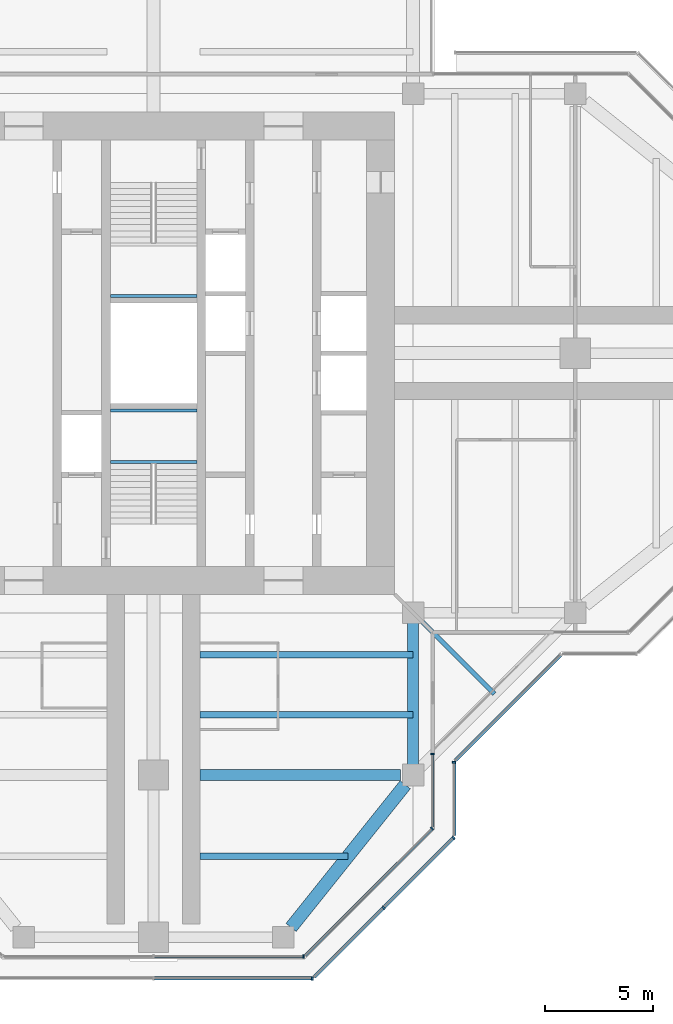
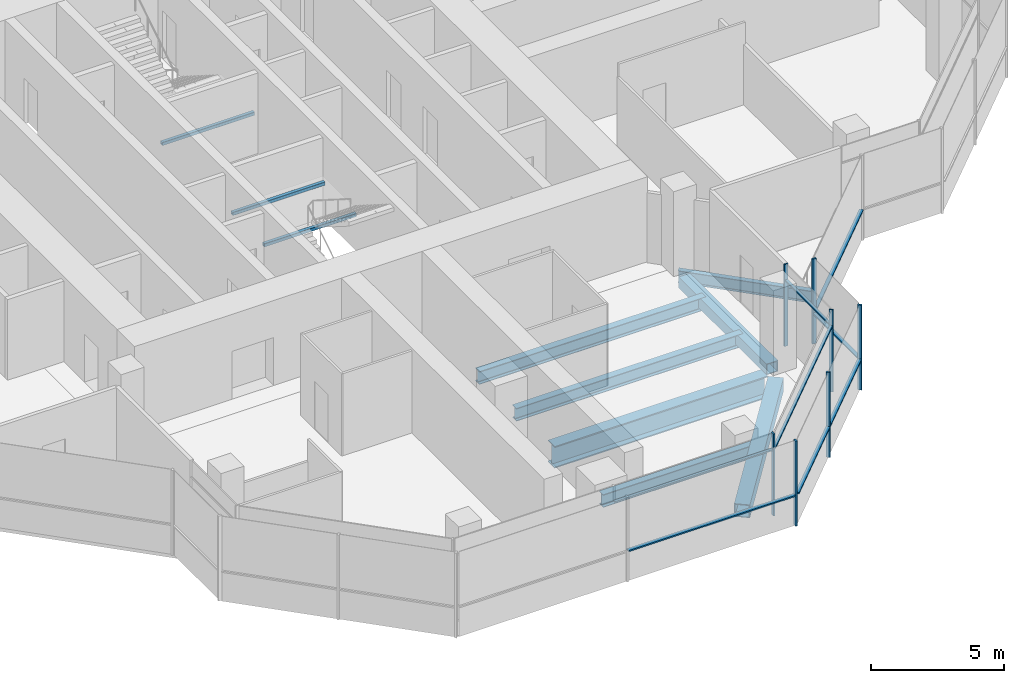
# One storey, part 4 of 15: 15 members, 10 beams, 7 elements without a shape of their own.
"""IFC4 building model written with IfcOpenShell, lengths in metres."""

from ifc_helpers import new_model, si_unit, direction, frame, origin, origin_2d, place, context, subcontext, project, spatial, rectangle, hollow_rectangle, i_section, extrude, material, material_profile, profile_set, type_object, element, aggregate, save


model = new_model("IFC4")

# Units and contexts
model_context = context("Model", 3, precision=1e-05, world=origin(), true_north=direction((0.0, 1.0)))
body_context = subcontext(model_context, "Body", "Model", "MODEL_VIEW")
ifc_project = project(units=[si_unit("LENGTHUNIT", "METRE"), si_unit("AREAUNIT", "SQUARE_METRE"), si_unit("VOLUMEUNIT", "CUBIC_METRE"), si_unit("PLANEANGLEUNIT", "RADIAN"), si_unit("MASSUNIT", "GRAM", prefix="KILO")], contexts=[model_context])

# Site, building, storey
site_placement = place(None, origin())
site = spatial("IfcSite", under=ifc_project, at=site_placement, CompositionType="ELEMENT")
building_placement = place(site_placement, origin())
building = spatial("IfcBuilding", under=site, at=building_placement, Name="Mizan Broadcast Tower", CompositionType="ELEMENT")
storey_placement = place(building_placement, frame((0.0, 0.0, 267.300048828125)))
storey = spatial("IfcBuildingStorey", under=building, at=storey_placement, Name="L63", CompositionType="ELEMENT", Elevation=267.300048828125)

# Beams
ifc_material_1 = material(Name="Steel S355", Category="steel")
ifc_material_profile_1 = material_profile(ifc_material_1, hollow_rectangle(XDim=0.5, YDim=0.5, WallThickness=0.030029296875, at=origin_2d()), Name="BOX 500x500x30")
ifc_profile_set_1 = profile_set([ifc_material_profile_1], Name="Steel S355")
beam_type_1 = type_object("IfcBeamType", Name="EDGE BEAM BOX 500x500x30", PredefinedType="SPANDREL", material=ifc_profile_set_1)
beam_1_placement = place(storey_placement, frame((12.0, -12.449951171875, -0.380126953125), z_axis=(0.0, -1.0, 0.0), x_axis=(1.0, 0.0, 0.0)))
element("IfcBeam", 1, at=beam_1_placement, inside=storey, type_object=beam_type_1, Name="Edge beam BOX 500x500x30 L63 south arm", PredefinedType="SPANDREL", context=body_context, shape_type="SweptSolid", body=[
    extrude(hollow_rectangle(XDim=0.5, YDim=0.5, WallThickness=0.030029296875, at=origin_2d()), origin(), (0.0, 0.0, 1.0), 6.60009765625),
])
ifc_material_2 = material(Name="Steel S355", Category="steel")
ifc_material_profile_2 = material_profile(ifc_material_2, hollow_rectangle(XDim=0.60009765625, YDim=0.60009765625, WallThickness=0.030029296875, at=origin_2d()), Name="BOX 600x600x30")
ifc_profile_set_2 = profile_set([ifc_material_profile_2], Name="Steel S355")
beam_type_2 = type_object("IfcBeamType", Name="EDGE BEAM BOX 600x600x30", PredefinedType="SPANDREL", material=ifc_profile_set_2)
beam_2_placement = place(storey_placement, frame((11.639892578125, -19.949951171875, -0.429931640625), z_axis=(-0.624673911726, -0.780885717636, 0.0), x_axis=(0.780885717636, -0.624673911726, 0.0)))
element("IfcBeam", 2, at=beam_2_placement, inside=storey, type_object=beam_type_2, Name="Edge beam BOX 600x600x30 L63 south arm", PredefinedType="SPANDREL", context=body_context, shape_type="SweptSolid", body=[
    extrude(hollow_rectangle(XDim=0.60009765625, YDim=0.60009765625, WallThickness=0.030029296875, at=origin_2d()), origin(), (0.0, 0.0, 1.0), 8.4521484375),
])
ifc_material_3 = material(Name="Steel S460", Category="steel")
ifc_material_profile_3 = material_profile(ifc_material_3, i_section(OverallWidth=0.5, OverallDepth=1.0, WebThickness=0.02490234375, FlangeThickness=0.050048828125, at=origin_2d()), Name="WPG 1000x500")
ifc_profile_set_3 = profile_set([ifc_material_profile_3], Name="Steel S460")
beam_type_3 = type_object("IfcBeamType", Name="GIRDER WPG 1000x500", PredefinedType="BEAM", material=ifc_profile_set_3)
beam_3_placement = place(storey_placement, frame((11.408935546875, -19.5, -0.630126953125), z_axis=(-1.0, 0.0, 0.0), x_axis=(0.0, -1.0, 0.0)))
element("IfcBeam", 3, at=beam_3_placement, inside=storey, type_object=beam_type_3, Name="Girder WPG 1000x500 L63 south arm", PredefinedType="BEAM", context=body_context, shape_type="SweptSolid", body=[
    extrude(i_section(OverallWidth=0.5, OverallDepth=1.0, WebThickness=0.02490234375, FlangeThickness=0.050048828125, at=origin_2d()), origin(), (0.0, 0.0, 1.0), 9.259033203125),
])

# Curtain wall, member
ifc_material_4 = material(Name="Aluminium framed glazing", Category="aluminium")
curtain_wall_type_1 = type_object("IfcCurtainWallType", Name="INNER SKIN TOP ZONE", PredefinedType="USERDEFINED", material=ifc_material_4)
curtain_wall_1_placement = place(storey_placement, origin())
curtain_wall_1 = element("IfcCurtainWall", 4, at=curtain_wall_1_placement, inside=storey, type_object=curtain_wall_type_1, Name="Inner skin top zone L63 S end", ObjectType="INNER SKIN TOP ZONE", PredefinedType="USERDEFINED")
ifc_material_5 = material(Name="Aluminium, pale anodised", Category="aluminium")
ifc_material_profile_4 = material_profile(ifc_material_5, rectangle(XDim=0.159912109375, YDim=0.06005859375, at=origin_2d()), Name="MULLION 160x60")
ifc_profile_set_4 = profile_set([ifc_material_profile_4], Name="Aluminium, pale anodised")
member_type_1 = type_object("IfcMemberType", Name="INNER SKIN MULLION 60x160", PredefinedType="MULLION", material=ifc_profile_set_4)
member_1_placement = place(storey_placement, frame((6.928466796875, -27.89990234375, 0.0), z_axis=(0.0, 0.0, 1.0), x_axis=(0.0, 1.0, 0.0)))
member_1 = element("IfcMember", 5, at=member_1_placement, type_object=member_type_1, Name="Inner skin top zone L63 S end mullion 3", PredefinedType="MULLION", context=body_context, shape_type="SweptSolid", body=[
    extrude(rectangle(XDim=0.159912109375, YDim=0.06005859375, at=origin_2d()), origin(), (0.0, 0.0, 1.0), 3.77001953125),
])

curtain_wall_2_placement = place(storey_placement, origin())
curtain_wall_2 = element("IfcCurtainWall", 6, at=curtain_wall_2_placement, inside=storey, type_object=curtain_wall_type_1, Name="Inner skin top zone L63 S chamfer", ObjectType="INNER SKIN TOP ZONE", PredefinedType="USERDEFINED")
member_2_placement = place(storey_placement, frame((12.87890625, -21.979736328125, 0.0), z_axis=(0.0, 0.0, 1.0), x_axis=(-0.707106781187, 0.707106781187, 0.0)))
member_2 = element("IfcMember", 7, at=member_2_placement, type_object=member_type_1, Name="Inner skin top zone L63 S chamfer mullion 2", PredefinedType="MULLION", context=body_context, shape_type="SweptSolid", body=[
    extrude(rectangle(XDim=0.159912109375, YDim=0.06005859375, at=origin_2d()), origin(), (0.0, 0.0, 1.0), 3.77001953125),
])

curtain_wall_3_placement = place(storey_placement, origin())
curtain_wall_3 = element("IfcCurtainWall", 8, at=curtain_wall_3_placement, inside=storey, type_object=curtain_wall_type_1, Name="Inner skin top zone L63 S side", ObjectType="INNER SKIN TOP ZONE", PredefinedType="USERDEFINED")
member_3_placement = place(storey_placement, frame((12.89990234375, -18.530029296875, 0.0), z_axis=(0.0, 0.0, 1.0), x_axis=(-1.0, 0.0, 0.0)))
member_3 = element("IfcMember", 9, at=member_3_placement, type_object=member_type_1, Name="Inner skin top zone L63 S side mullion 2", PredefinedType="MULLION", context=body_context, shape_type="SweptSolid", body=[
    extrude(rectangle(XDim=0.159912109375, YDim=0.06005859375, at=origin_2d()), origin(), (0.0, 0.0, 1.0), 3.77001953125),
])

# Member
ifc_material_6 = material(Name="Aluminium, pale anodised", Category="aluminium")
ifc_material_profile_5 = material_profile(ifc_material_6, rectangle(XDim=0.1201171875, YDim=0.06005859375, at=origin_2d()), Name="TRANSOM 120x60")
ifc_profile_set_5 = profile_set([ifc_material_profile_5], Name="Aluminium, pale anodised")
member_type_2 = type_object("IfcMemberType", Name="INNER SKIN TRANSOM 60x120", PredefinedType="USERDEFINED", material=ifc_profile_set_5)
member_4_placement = place(storey_placement, frame((0.030029296875, -27.89990234375, 3.030029296875), z_axis=(1.0, 0.0, 0.0), x_axis=(0.0, 1.0, 0.0)))
member_4 = element("IfcMember", 10, at=member_4_placement, type_object=member_type_2, Name="Inner skin top zone L63 S end transom 2.1", ObjectType="TRANSOM", PredefinedType="USERDEFINED", context=body_context, shape_type="SweptSolid", body=[
    extrude(rectangle(XDim=0.1201171875, YDim=0.06005859375, at=origin_2d()), origin(), (0.0, 0.0, 1.0), 6.86865234375),
])

aggregate(curtain_wall_1, [member_1, member_4])

member_5_placement = place(storey_placement, frame((7.0009765625, -27.857666015625, 3.030029296875), z_axis=(0.707106781187, 0.707106781187, 0.0), x_axis=(-0.707106781187, 0.707106781187, 0.0)))
member_5 = element("IfcMember", 11, at=member_5_placement, type_object=member_type_2, Name="Inner skin top zone L63 S chamfer transom 1.1", ObjectType="TRANSOM", PredefinedType="USERDEFINED", context=body_context, shape_type="SweptSolid", body=[
    extrude(rectangle(XDim=0.1201171875, YDim=0.06005859375, at=origin_2d()), origin(), (0.0, 0.0, 1.0), 8.28271484375),
])

aggregate(curtain_wall_2, [member_2, member_5])

member_6_placement = place(storey_placement, frame((12.89990234375, -21.898681640625, 3.030029296875), z_axis=(0.0, 1.0, 0.0), x_axis=(-1.0, 0.0, 0.0)))
member_6 = element("IfcMember", 12, at=member_6_placement, type_object=member_type_2, Name="Inner skin top zone L63 S side transom 1.1", ObjectType="TRANSOM", PredefinedType="USERDEFINED", context=body_context, shape_type="SweptSolid", body=[
    extrude(rectangle(XDim=0.1201171875, YDim=0.06005859375, at=origin_2d()), origin(), (0.0, 0.0, 1.0), 3.338623046875),
])

aggregate(curtain_wall_3, [member_3, member_6])

# Beams
ifc_material_7 = material(Name="Steel S355", Category="steel")
ifc_material_profile_6 = material_profile(ifc_material_7, hollow_rectangle(XDim=0.14990234375, YDim=0.14990234375, WallThickness=0.008056640625, InnerFilletRadius=0.008056640625, OuterFilletRadius=0.011962890625, at=origin_2d()), Name="SHS 150x150x8")
ifc_profile_set_6 = profile_set([ifc_material_profile_6], Name="Steel S355")
beam_type_4 = type_object("IfcBeamType", Name="LANDING TRIMMER SHS 150x150x8", PredefinedType="BEAM", material=ifc_profile_set_6)
for number, where, z_axis, x_axis, name in (
    (13, (-2.0, -5.02490234375, 1.675048828125), (1.0, 0.0, 0.0), (0.0, 1.0, 0.0), "Stair A landing trimmer L63"),
    (14, (-2.0, -2.64990234375, 1.675048828125), (1.0, 0.0, 0.0), (0.0, 1.0, 0.0), "Stair A landing trimmer L63"),
    (15, (2.0, 2.64990234375, 1.675048828125), (-1.0, 0.0, 0.0), (0.0, -1.0, 0.0), "Stair B landing trimmer L63"),
):
    element("IfcBeam", number, at=place(storey_placement, frame(where, z_axis=z_axis, x_axis=x_axis)), inside=storey, type_object=beam_type_4, Name=name, PredefinedType="BEAM", context=body_context, shape_type="SweptSolid", body=[
        extrude(hollow_rectangle(XDim=0.14990234375, YDim=0.14990234375, WallThickness=0.008056640625, InnerFilletRadius=0.008056640625, OuterFilletRadius=0.011962890625, at=origin_2d()), origin(), (0.0, 0.0, 1.0), 4.0),
    ])

# Curtain wall, member
ifc_material_8 = material(Name="Aluminium framed glazing", Category="aluminium")
curtain_wall_type_2 = type_object("IfcCurtainWallType", Name="OUTER SKIN", PredefinedType="USERDEFINED", material=ifc_material_8)
curtain_wall_4_placement = place(storey_placement, origin())
curtain_wall_4 = element("IfcCurtainWall", 16, at=curtain_wall_4_placement, inside=storey, type_object=curtain_wall_type_2, Name="Outer skin L63 S end", ObjectType="OUTER SKIN", PredefinedType="USERDEFINED")
ifc_material_9 = material(Name="Aluminium, pale anodised", Category="aluminium")
ifc_material_profile_7 = material_profile(ifc_material_9, rectangle(XDim=0.159912109375, YDim=0.080078125, at=origin_2d()), Name="MULLION 160x80")
ifc_profile_set_7 = profile_set([ifc_material_profile_7], Name="Aluminium, pale anodised")
member_type_3 = type_object("IfcMemberType", Name="OUTER SKIN MULLION 80x160", PredefinedType="MULLION", material=ifc_profile_set_7)
member_7_placement = place(storey_placement, frame((7.332763671875, -28.89990234375, 0.0), z_axis=(0.0, 0.0, 1.0), x_axis=(0.0, 1.0, 0.0)))
member_7 = element("IfcMember", 17, at=member_7_placement, type_object=member_type_3, Name="Outer skin L63 S end mullion 3", PredefinedType="MULLION", context=body_context, shape_type="SweptSolid", body=[
    extrude(rectangle(XDim=0.159912109375, YDim=0.080078125, at=origin_2d()), origin(), (0.0, 0.0, 1.0), 3.89990234375),
])

# Curtain wall, members
curtain_wall_5_placement = place(storey_placement, origin())
curtain_wall_5 = element("IfcCurtainWall", 18, at=curtain_wall_5_placement, inside=storey, type_object=curtain_wall_type_2, Name="Outer skin L63 S chamfer", ObjectType="OUTER SKIN", PredefinedType="USERDEFINED")
member_8_placement = place(storey_placement, frame((10.636474609375, -25.636474609375, 0.0), z_axis=(0.0, 0.0, 1.0), x_axis=(-0.707106781187, 0.707106781187, 0.0)))
member_8 = element("IfcMember", 19, at=member_8_placement, type_object=member_type_3, Name="Outer skin L63 S chamfer mullion 2", PredefinedType="MULLION", context=body_context, shape_type="SweptSolid", body=[
    extrude(rectangle(XDim=0.159912109375, YDim=0.080078125, at=origin_2d()), origin(), (0.0, 0.0, 1.0), 3.89990234375),
])
member_9_placement = place(storey_placement, frame((13.871826171875, -22.401123046875, 0.0), z_axis=(0.0, 0.0, 1.0), x_axis=(-0.707106781187, 0.707106781187, 0.0)))
member_9 = element("IfcMember", 20, at=member_9_placement, type_object=member_type_3, Name="Outer skin L63 S chamfer mullion 3", PredefinedType="MULLION", context=body_context, shape_type="SweptSolid", body=[
    extrude(rectangle(XDim=0.159912109375, YDim=0.080078125, at=origin_2d()), origin(), (0.0, 0.0, 1.0), 3.89990234375),
])

# Curtain wall, member
curtain_wall_6_placement = place(storey_placement, origin())
curtain_wall_6 = element("IfcCurtainWall", 21, at=curtain_wall_6_placement, inside=storey, type_object=curtain_wall_type_2, Name="Outer skin L63 S side", ObjectType="OUTER SKIN", PredefinedType="USERDEFINED")
member_10_placement = place(storey_placement, frame((13.89990234375, -18.912841796875, 0.0), z_axis=(0.0, 0.0, 1.0), x_axis=(-1.0, 0.0, 0.0)))
member_10 = element("IfcMember", 22, at=member_10_placement, type_object=member_type_3, Name="Outer skin L63 S side mullion 2", PredefinedType="MULLION", context=body_context, shape_type="SweptSolid", body=[
    extrude(rectangle(XDim=0.159912109375, YDim=0.080078125, at=origin_2d()), origin(), (0.0, 0.0, 1.0), 3.89990234375),
])

# Member
ifc_material_10 = material(Name="Aluminium, pale anodised", Category="aluminium")
ifc_material_profile_8 = material_profile(ifc_material_10, rectangle(XDim=0.159912109375, YDim=0.06005859375, at=origin_2d()), Name="TRANSOM 160x60")
ifc_profile_set_8 = profile_set([ifc_material_profile_8], Name="Aluminium, pale anodised")
member_type_4 = type_object("IfcMemberType", Name="OUTER SKIN TRANSOM 60x160", PredefinedType="USERDEFINED", material=ifc_profile_set_8)
member_11_placement = place(storey_placement, frame((0.0400390625, -28.89990234375, 1.39990234375), z_axis=(1.0, 0.0, 0.0), x_axis=(0.0, 1.0, 0.0)))
member_11 = element("IfcMember", 23, at=member_11_placement, type_object=member_type_4, Name="Outer skin L63 S end transom 2.1", ObjectType="TRANSOM", PredefinedType="USERDEFINED", context=body_context, shape_type="SweptSolid", body=[
    extrude(rectangle(XDim=0.159912109375, YDim=0.06005859375, at=origin_2d()), origin(), (0.0, 0.0, 1.0), 7.252685546875),
])

aggregate(curtain_wall_4, [member_7, member_11])

member_12_placement = place(storey_placement, frame((7.429443359375, -28.843505859375, 1.39990234375), z_axis=(0.707106781187, 0.707106781187, 0.0), x_axis=(-0.707106781187, 0.707106781187, 0.0)))
member_12 = element("IfcMember", 24, at=member_12_placement, type_object=member_type_4, Name="Outer skin L63 S chamfer transom 1.1", ObjectType="TRANSOM", PredefinedType="USERDEFINED", context=body_context, shape_type="SweptSolid", body=[
    extrude(rectangle(XDim=0.159912109375, YDim=0.06005859375, at=origin_2d()), origin(), (0.0, 0.0, 1.0), 4.495361328125),
])

member_13_placement = place(storey_placement, frame((10.664794921875, -25.608154296875, 1.39990234375), z_axis=(0.707106781187, 0.707106781187, 0.0), x_axis=(-0.707106781187, 0.707106781187, 0.0)))
member_13 = element("IfcMember", 25, at=member_13_placement, type_object=member_type_4, Name="Outer skin L63 S chamfer transom 2.1", ObjectType="TRANSOM", PredefinedType="USERDEFINED", context=body_context, shape_type="SweptSolid", body=[
    extrude(rectangle(XDim=0.159912109375, YDim=0.06005859375, at=origin_2d()), origin(), (0.0, 0.0, 1.0), 4.495361328125),
])

aggregate(curtain_wall_5, [member_8, member_9, member_12, member_13])

member_14_placement = place(storey_placement, frame((13.89990234375, -22.292724609375, 1.39990234375), z_axis=(0.0, 1.0, 0.0), x_axis=(-1.0, 0.0, 0.0)))
member_14 = element("IfcMember", 26, at=member_14_placement, type_object=member_type_4, Name="Outer skin L63 S side transom 1.1", ObjectType="TRANSOM", PredefinedType="USERDEFINED", context=body_context, shape_type="SweptSolid", body=[
    extrude(rectangle(XDim=0.159912109375, YDim=0.06005859375, at=origin_2d()), origin(), (0.0, 0.0, 1.0), 3.33984375),
])

aggregate(curtain_wall_6, [member_10, member_14])

# Curtain wall, member
curtain_wall_7_placement = place(storey_placement, origin())
curtain_wall_7 = element("IfcCurtainWall", 27, at=curtain_wall_7_placement, inside=storey, type_object=curtain_wall_type_2, Name="Outer skin L63 E chamfer", ObjectType="OUTER SKIN", PredefinedType="USERDEFINED")
member_15_placement = place(storey_placement, frame((13.95654296875, -18.816162109375, 1.39990234375), z_axis=(0.707106781187, 0.707106781187, 0.0), x_axis=(-0.707106781187, 0.707106781187, 0.0)))
member_15 = element("IfcMember", 28, at=member_15_placement, type_object=member_type_4, Name="Outer skin L63 E chamfer transom 1.1", ObjectType="TRANSOM", PredefinedType="USERDEFINED", context=body_context, shape_type="SweptSolid", body=[
    extrude(rectangle(XDim=0.159912109375, YDim=0.06005859375, at=origin_2d()), origin(), (0.0, 0.0, 1.0), 6.87255859375),
])
aggregate(curtain_wall_7, [member_15])

# Beams
ifc_material_11 = material(Name="Steel S355", Category="steel")
ifc_material_profile_9 = material_profile(ifc_material_11, i_section(OverallWidth=0.300048828125, OverallDepth=0.590087890625, WebThickness=0.012939453125, FlangeThickness=0.02490234375, FilletRadius=0.027099609375, at=origin_2d()), Name="HEA 600")
ifc_profile_set_9 = profile_set([ifc_material_profile_9], Name="Steel S355")
beam_type_5 = type_object("IfcBeamType", Name="SECONDARY BEAM HEA 600", PredefinedType="JOIST", material=ifc_profile_set_9)
for number, where, z_axis, x_axis, name in (
    (29, (12.0, -13.933349609375, -0.425048828125), (-1.0, 0.0, 0.0), (0.0, -1.0, 0.0), "Secondary beam HEA 600 L63 south arm"),
    (30, (12.0, -16.716552734375, -0.425048828125), (-1.0, 0.0, 0.0), (0.0, -1.0, 0.0), "Secondary beam HEA 600 L63 south arm"),
):
    element("IfcBeam", number, at=place(storey_placement, frame(where, z_axis=z_axis, x_axis=x_axis)), inside=storey, type_object=beam_type_5, Name=name, PredefinedType="JOIST", context=body_context, shape_type="SweptSolid", body=[
        extrude(i_section(OverallWidth=0.300048828125, OverallDepth=0.590087890625, WebThickness=0.012939453125, FlangeThickness=0.02490234375, FilletRadius=0.027099609375, at=origin_2d()), origin(), (0.0, 0.0, 1.0), 9.85009765625),
    ])
beam_4_placement = place(storey_placement, frame((9.0, -23.25, -0.425048828125), z_axis=(-1.0, 0.0, 0.0), x_axis=(0.0, -1.0, 0.0)))
element("IfcBeam", 31, at=beam_4_placement, inside=storey, type_object=beam_type_5, Name="Secondary beam HEA 600 L63 south arm", PredefinedType="JOIST", context=body_context, shape_type="SweptSolid", body=[
    extrude(i_section(OverallWidth=0.300048828125, OverallDepth=0.590087890625, WebThickness=0.012939453125, FlangeThickness=0.02490234375, FilletRadius=0.027099609375, at=origin_2d()), origin(), (0.0, 0.0, 1.0), 6.85009765625),
])
ifc_material_12 = material(Name="Steel S355", Category="steel")
ifc_material_profile_10 = material_profile(ifc_material_12, i_section(OverallWidth=0.2099609375, OverallDepth=0.550048828125, WebThickness=0.010986328125, FlangeThickness=0.01708984375, FilletRadius=0.02392578125, at=origin_2d()), Name="IPE 550")
ifc_profile_set_10 = profile_set([ifc_material_profile_10], Name="Steel S355")
beam_type_6 = type_object("IfcBeamType", Name="SECONDARY BEAM IPE 550", PredefinedType="JOIST", material=ifc_profile_set_10)
beam_5_placement = place(storey_placement, frame((12.0, -12.0, -0.405029296875), z_axis=(0.707106781187, -0.707106781187, 0.0), x_axis=(0.707106781187, 0.707106781187, 0.0)))
element("IfcBeam", 32, at=beam_5_placement, inside=storey, type_object=beam_type_6, Name="Winter garden beam L63 S", PredefinedType="JOIST", context=body_context, shape_type="SweptSolid", body=[
    extrude(i_section(OverallWidth=0.2099609375, OverallDepth=0.550048828125, WebThickness=0.010986328125, FlangeThickness=0.01708984375, FilletRadius=0.02392578125, at=origin_2d()), origin(), (0.0, 0.0, 1.0), 5.30322265625),
])

save(model, "model.ifc")
